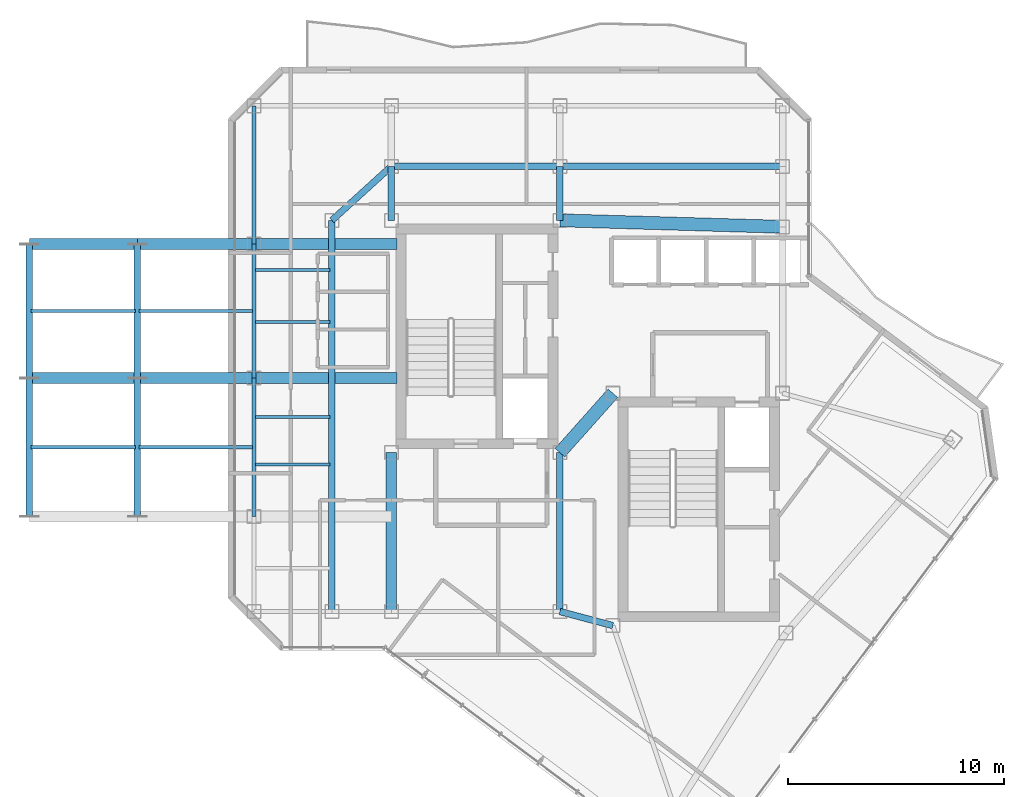
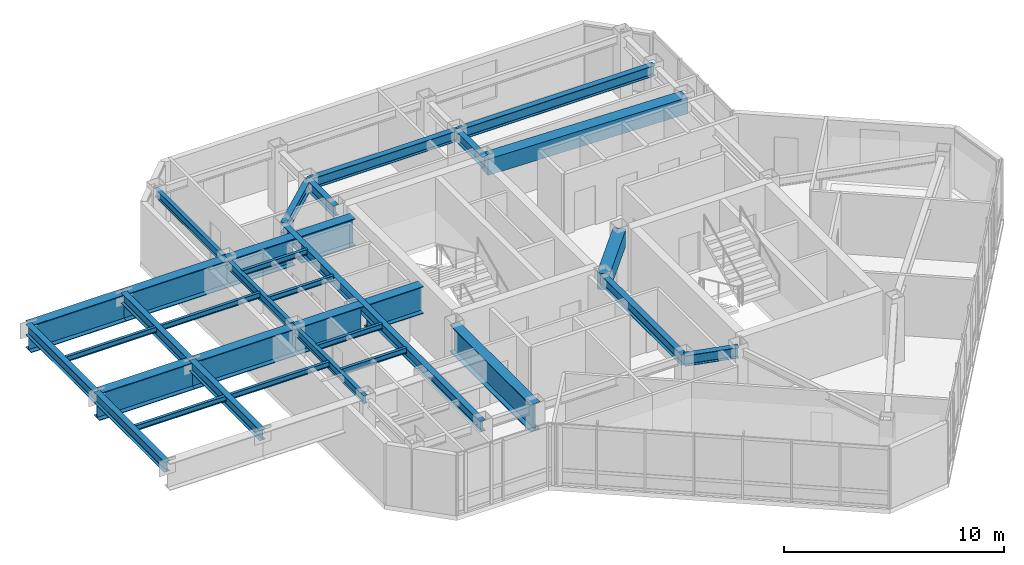
# One storey, part 4 of 17: 34 beams.
"""IFC4 building model written with IfcOpenShell, lengths in metres."""

import ifcopenshell
import ifcopenshell.guid

model = None  # the IFC model being written
_history = None  # IfcOwnerHistory: only IFC2X3 demands one
_inside = {}  # id of a spatial element -> (the spatial element, [elements in it])
_under = {}  # id of a project, library or spatial element -> (it, [spatial elements below it])
_declared = {}  # id of a project -> (the project, [libraries it declares])
_typed = {}  # id of a type object -> (the type object, [elements of that type])
_made_of = {}  # id of a material, layer set ... -> (it, [elements and type objects made of it])


def new_model(schema):
    """Start an empty IFC model of exactly this schema.

    Asked for "IFC4X3", IfcOpenShell would pick the latest addendum, in which some entities
    have other attributes; the version numbers below select the first issue.
    IFC2X3 requires an IfcOwnerHistory on every rooted entity: one is made here for all.
    """
    global model, _history
    if schema == "IFC4X3":
        model = ifcopenshell.file(schema_version=(4, 3, 0, 0))
    else:
        model = ifcopenshell.file(schema=schema)
    _inside.clear()
    _under.clear()
    _declared.clear()
    _typed.clear()
    _made_of.clear()
    _history = None
    if model.schema == "IFC2X3":
        org = make("IfcOrganization", Name="unknown")
        user = make(
            "IfcPersonAndOrganization",
            ThePerson=make("IfcPerson", FamilyName="unknown"),
            TheOrganization=org,
        )
        app = make(
            "IfcApplication",
            ApplicationDeveloper=org,
            Version="unknown",
            ApplicationFullName="unknown",
            ApplicationIdentifier="unknown",
        )
        _history = make(
            "IfcOwnerHistory",
            OwningUser=user,
            OwningApplication=app,
            ChangeAction="ADDED",
            CreationDate=0,
        )
    return model


def make(cls, **values):
    """One entity of the class cls with the attributes given. An attribute that is None is left unset."""
    return model.create_entity(
        cls, **{name: value for name, value in values.items() if value is not None}
    )


def rooted(cls, **values):
    """An entity with a GlobalId (a new one), such as an element, a storey or a relation."""
    return make(cls, GlobalId=ifcopenshell.guid.new(), OwnerHistory=_history, **values)


def si_unit(unit_type, name, prefix=None):
    """IfcSIUnit, for example si_unit("LENGTHUNIT", "METRE", prefix="MILLI")."""
    return make("IfcSIUnit", UnitType=unit_type, Prefix=prefix, Name=name)


def assignment(units):
    """IfcUnitAssignment: the units of a project."""
    return None if units is None else make("IfcUnitAssignment", Units=units)


def point(xyz):
    """IfcCartesianPoint."""
    return None if xyz is None else make("IfcCartesianPoint", Coordinates=xyz)


def direction(xyz):
    """IfcDirection."""
    return None if xyz is None else make("IfcDirection", DirectionRatios=xyz)


def frame(location, z_axis=None, x_axis=None):
    """IfcAxis2Placement3D, a coordinate frame: its origin and axes. An axis left out is left unset."""
    return make(
        "IfcAxis2Placement3D",
        Location=point(location),
        Axis=direction(z_axis),
        RefDirection=direction(x_axis),
    )


def frame_2d(location, x_axis=None):
    """IfcAxis2Placement2D, a coordinate frame in the plane: its origin and x axis."""
    return make(
        "IfcAxis2Placement2D", Location=point(location), RefDirection=direction(x_axis)
    )


def origin():
    """The frame at (0, 0, 0) with its axes left unset."""
    return frame((0.0, 0.0, 0.0))


def origin_2d():
    """The frame at (0, 0) in the plane with its x axis left unset."""
    return frame_2d((0.0, 0.0))


def place(relative_to, where):
    """IfcLocalPlacement: puts the frame where relative to a parent placement (None: the world)."""
    return make(
        "IfcLocalPlacement", PlacementRelTo=relative_to, RelativePlacement=where
    )


def context(
    kind, dimensions, precision=None, world=None, true_north=None, identifier=None
):
    """IfcGeometricRepresentationContext, for example the 3D "Model" context."""
    return make(
        "IfcGeometricRepresentationContext",
        ContextIdentifier=identifier,
        ContextType=kind,
        CoordinateSpaceDimension=dimensions,
        Precision=precision,
        WorldCoordinateSystem=world,
        TrueNorth=true_north,
    )


def subcontext(parent, identifier, kind, view, scale=None):
    """IfcGeometricRepresentationSubContext, for example "Body" below "Model"."""
    return make(
        "IfcGeometricRepresentationSubContext",
        ContextIdentifier=identifier,
        ContextType=kind,
        ParentContext=parent,
        TargetScale=scale,
        TargetView=view,
    )


def project(units=None, contexts=None):
    """IfcProject with its units and contexts."""
    return rooted(
        "IfcProject",
        Name="project",
        RepresentationContexts=contexts,
        UnitsInContext=assignment(units),
    )


def spatial(cls, under=None, at=None, **own):
    """A site, building, storey or space (cls), placed at a placement, below another one or the project."""
    s = rooted(cls, ObjectPlacement=at, **own)
    if under is not None:
        _under.setdefault(under.id(), (under, []))[1].append(s)
    return s


def profile(cls, at=None, kind="AREA", **sizes):
    """A parametric profile (cls). Its sizes go by their IFC names, for example OverallWidth=200.0."""
    return make(cls, ProfileType=kind, Position=at, **sizes)


def rectangle(**sizes):
    """IfcRectangleProfileDef."""
    return profile("IfcRectangleProfileDef", **sizes)


def i_section(**sizes):
    """IfcIShapeProfileDef."""
    return profile("IfcIShapeProfileDef", **sizes)


def extrude(swept, where, along, depth):
    """IfcExtrudedAreaSolid: the profile swept, set in the frame where, extruded along a direction by depth."""
    return make(
        "IfcExtrudedAreaSolid",
        SweptArea=swept,
        Position=where,
        ExtrudedDirection=direction(along),
        Depth=depth,
    )


def shape(context_of_items, identifier, shape_type, items):
    """IfcShapeRepresentation: the items that make up one representation, for example the "Body"."""
    return make(
        "IfcShapeRepresentation",
        ContextOfItems=context_of_items,
        RepresentationIdentifier=identifier,
        RepresentationType=shape_type,
        Items=items,
    )


def material(Name=None, Category=None):
    """IfcMaterial."""
    return make("IfcMaterial", Name=Name, Category=Category)


def material_profile(
    of_material, cross_section, Name=None, Category=None, Priority=None
):
    """IfcMaterialProfile: a cross section and its material."""
    return make(
        "IfcMaterialProfile",
        Name=Name,
        Material=of_material,
        Profile=cross_section,
        Priority=Priority,
        Category=Category,
    )


def profile_set(profiles, Name=None, composite=None):
    """IfcMaterialProfileSet."""
    return make(
        "IfcMaterialProfileSet",
        Name=Name,
        MaterialProfiles=profiles,
        CompositeProfile=composite,
    )


def made_of(thing, what):
    """Note that an element or type object is made of a material, layer set ...; save() writes the relation."""
    if what is not None:
        _made_of.setdefault(what.id(), (what, []))[1].append(thing)
    return thing


def type_object(cls, material=None, **own):
    """A type object (cls), such as IfcWallType, which elements share."""
    return made_of(rooted(cls, **own), material)


def element(
    cls,
    number,
    at=None,
    inside=None,
    cuts=None,
    type_object=None,
    material=None,
    context=None,
    identifier="Body",
    shape_type=None,
    held_by="IfcProductDefinitionShape",
    body=None,
    shapes=None,
    **own,
):
    """One element of the class cls, such as IfcWall. Its Tag is "e" and its number.

    at: its placement. inside: the storey or other place that contains it. cuts: it is an
    opening in that element (IfcRelVoidsElement). A single representation is given by context,
    identifier, shape_type and body (its items); several are given by shapes. held_by: the class
    of the entity that holds the representations. save() writes the other relations.
    """
    e = rooted(cls, Tag="e%d" % number, ObjectPlacement=at, **own)
    if body is not None:
        shapes = [shape(context, identifier, shape_type, body)]
    if shapes is not None:
        e.Representation = make(held_by, Representations=shapes)
    if inside is not None:
        _inside.setdefault(inside.id(), (inside, []))[1].append(e)
    if cuts is not None:
        rooted(
            "IfcRelVoidsElement", RelatingBuildingElement=cuts, RelatedOpeningElement=e
        )
    if type_object is not None:
        _typed.setdefault(type_object.id(), (type_object, []))[1].append(e)
    return made_of(e, material)


def aggregate(whole, parts):
    """IfcRelAggregates: a whole, such as a stair, and the parts it consists of."""
    return rooted("IfcRelAggregates", RelatingObject=whole, RelatedObjects=parts)


def save(model, path):
    """Write the relations noted so far, then the file.

    IfcRelAggregates (storeys below a building ...), IfcRelContainedInSpatialStructure (elements
    in a storey), IfcRelDefinesByType, IfcRelAssociatesMaterial and IfcRelDeclares: one each for
    every whole, place, type object, material and project.
    """
    for whole, parts in _under.values():
        aggregate(whole, parts)
    for where, things in _inside.values():
        rooted(
            "IfcRelContainedInSpatialStructure",
            RelatedElements=things,
            RelatingStructure=where,
        )
    for kind, things in _typed.values():
        rooted("IfcRelDefinesByType", RelatedObjects=things, RelatingType=kind)
    for what, things in _made_of.values():
        rooted("IfcRelAssociatesMaterial", RelatedObjects=things, RelatingMaterial=what)
    for by, libraries in _declared.values():
        rooted("IfcRelDeclares", RelatingContext=by, RelatedDefinitions=libraries)
    model.write(path)


model = new_model("IFC4")

# Units and contexts
model_context = context("Model", 3, precision=1e-05, world=origin(), true_north=direction((0.0, 1.0)))
body_context = subcontext(model_context, "Body", "Model", "MODEL_VIEW")
ifc_project = project(units=[si_unit("LENGTHUNIT", "METRE"), si_unit("AREAUNIT", "SQUARE_METRE"), si_unit("VOLUMEUNIT", "CUBIC_METRE"), si_unit("PLANEANGLEUNIT", "RADIAN"), si_unit("MASSUNIT", "GRAM", prefix="KILO")], contexts=[model_context])

# Site, building, storey
site_placement = place(None, origin())
site = spatial("IfcSite", under=ifc_project, at=site_placement, CompositionType="ELEMENT")
building_placement = place(site_placement, origin())
building = spatial("IfcBuilding", under=site, at=building_placement, Name="Hatsunagi Terrace Concourse", CompositionType="ELEMENT")
storey_placement = place(building_placement, frame((0.0, 0.0, 253.949951171875)))
storey = spatial("IfcBuildingStorey", under=building, at=storey_placement, Name="L67", CompositionType="ELEMENT", Elevation=253.949951171875)

# Beams
ifc_material_1 = material(Name="Concrete Fc42", Category="concrete")
ifc_material_profile_1 = material_profile(ifc_material_1, rectangle(XDim=0.60009765625, YDim=0.89990234375, at=origin_2d()), Name="RC-600x900")
ifc_profile_set_1 = profile_set([ifc_material_profile_1], Name="Concrete Fc42")
beam_type_1 = type_object("IfcBeamType", Name="CoreCouplingBeam_RC_600x900", PredefinedType="BEAM", material=ifc_profile_set_1)
beam_1_placement = place(storey_placement, frame((33.35009765625, 32.550048828125, 2.900146484375), z_axis=(0.665198651008, 0.746666427997, 0.0), x_axis=(-0.746666427997, 0.665198651008, 0.0)))
element("IfcBeam", 1, at=beam_1_placement, inside=storey, type_object=beam_type_1, Name="Beam CB-03 CB-L67-1", PredefinedType="BEAM", context=body_context, shape_type="SweptSolid", body=[
    extrude(rectangle(XDim=0.60009765625, YDim=0.89990234375, at=origin_2d()), origin(), (0.0, 0.0, 1.0), 3.68310546875),
])
beam_2_placement = place(storey_placement, frame((33.35009765625, 43.300048828125, 2.900146484375), z_axis=(0.999575947545, -0.029119153303, 0.0), x_axis=(0.029119153303, 0.999575947545, 0.0)))
element("IfcBeam", 2, at=beam_2_placement, inside=storey, type_object=beam_type_1, Name="Beam CB-03 CB-L67-2", PredefinedType="BEAM", context=body_context, shape_type="SweptSolid", body=[
    extrude(rectangle(XDim=0.60009765625, YDim=0.89990234375, at=origin_2d()), origin(), (0.0, 0.0, 1.0), 10.30419921875),
])
ifc_material_2 = material(Name="Steel SN490B", Category="steel")
ifc_material_profile_2 = material_profile(ifc_material_2, i_section(OverallWidth=0.300048828125, OverallDepth=0.587890625, WebThickness=0.011962890625, FlangeThickness=0.02001953125, FilletRadius=0.01806640625, at=origin_2d()), Name="H-588x300x12x20")
ifc_profile_set_2 = profile_set([ifc_material_profile_2], Name="Steel SN490B")
beam_type_2 = type_object("IfcBeamType", Name="OfficeHighGirder_H_588x300", PredefinedType="BEAM", material=ifc_profile_set_2)
beam_3_placement = place(storey_placement, frame((33.35009765625, 25.199951171875, 3.05615234375), z_axis=(0.0, 1.0, 0.0), x_axis=(-1.0, 0.0, 0.0)))
element("IfcBeam", 3, at=beam_3_placement, inside=storey, type_object=beam_type_2, Name="Beam G-06 BM-L67-K2CA", PredefinedType="BEAM", context=body_context, shape_type="SweptSolid", body=[
    extrude(i_section(OverallWidth=0.300048828125, OverallDepth=0.587890625, WebThickness=0.011962890625, FlangeThickness=0.02001953125, FilletRadius=0.01806640625, at=origin_2d()), origin(), (0.0, 0.0, 1.0), 7.35009765625),
])
beam_4_placement = place(storey_placement, frame((33.35009765625, 25.199951171875, 3.05615234375), z_axis=(0.966569840116, -0.256403479262, 0.0), x_axis=(0.256403479262, 0.966569840116, 0.0)))
element("IfcBeam", 4, at=beam_4_placement, inside=storey, type_object=beam_type_2, Name="Beam G-06 BM-L67-K2CB", PredefinedType="BEAM", context=body_context, shape_type="SweptSolid", body=[
    extrude(i_section(OverallWidth=0.300048828125, OverallDepth=0.587890625, WebThickness=0.011962890625, FlangeThickness=0.02001953125, FilletRadius=0.01806640625, at=origin_2d()), origin(), (0.0, 0.0, 1.0), 2.53466796875),
])
for number, where, z_axis, x_axis, name in (
    (5, (25.550048828125, 43.300048828125, 3.05615234375), (0.0, 1.0, 0.0), (-1.0, 0.0, 0.0), "Beam G-06 BM-L67-CN1"),
    (6, (33.35009765625, 43.300048828125, 3.05615234375), (0.0, 1.0, 0.0), (-1.0, 0.0, 0.0), "Beam G-06 BM-L67-CN2"),
):
    element("IfcBeam", number, at=place(storey_placement, frame(where, z_axis=z_axis, x_axis=x_axis)), inside=storey, type_object=beam_type_2, Name=name, PredefinedType="BEAM", context=body_context, shape_type="SweptSolid", body=[
        extrude(i_section(OverallWidth=0.300048828125, OverallDepth=0.587890625, WebThickness=0.011962890625, FlangeThickness=0.02001953125, FilletRadius=0.01806640625, at=origin_2d()), origin(), (0.0, 0.0, 1.0), 2.5),
    ])
beam_5_placement = place(storey_placement, frame((25.550048828125, 45.800048828125, 3.05615234375), z_axis=(1.0, 0.0, 0.0), x_axis=(0.0, 1.0, 0.0)))
element("IfcBeam", 7, at=beam_5_placement, inside=storey, type_object=beam_type_2, Name="Beam G-06 BM-L67-CNEW1", PredefinedType="BEAM", context=body_context, shape_type="SweptSolid", body=[
    extrude(i_section(OverallWidth=0.300048828125, OverallDepth=0.587890625, WebThickness=0.011962890625, FlangeThickness=0.02001953125, FilletRadius=0.01806640625, at=origin_2d()), origin(), (0.0, 0.0, 1.0), 7.800048828125),
])
beam_6_placement = place(storey_placement, frame((33.35009765625, 45.800048828125, 3.05615234375), z_axis=(1.0, 0.0, 0.0), x_axis=(0.0, 1.0, 0.0)))
element("IfcBeam", 8, at=beam_6_placement, inside=storey, type_object=beam_type_2, Name="Beam G-06 BM-L67-CNEW2", PredefinedType="BEAM", context=body_context, shape_type="SweptSolid", body=[
    extrude(i_section(OverallWidth=0.300048828125, OverallDepth=0.587890625, WebThickness=0.011962890625, FlangeThickness=0.02001953125, FilletRadius=0.01806640625, at=origin_2d()), origin(), (0.0, 0.0, 1.0), 10.2998046875),
])
beam_7_placement = place(storey_placement, frame((13.800048828125, 29.60009765625, 3.05615234375), z_axis=(0.0, 1.0, 0.0), x_axis=(-1.0, 0.0, 0.0)))
element("IfcBeam", 9, at=beam_7_placement, inside=storey, type_object=beam_type_2, Name="Beam G-06 SLT-L67-NS-1A", PredefinedType="BEAM", context=body_context, shape_type="SweptSolid", body=[
    extrude(i_section(OverallWidth=0.300048828125, OverallDepth=0.587890625, WebThickness=0.011962890625, FlangeThickness=0.02001953125, FilletRadius=0.01806640625, at=origin_2d()), origin(), (0.0, 0.0, 1.0), 6.39990234375),
])
beam_8_placement = place(storey_placement, frame((13.800048828125, 36.0, 3.05615234375), z_axis=(0.0, 1.0, 0.0), x_axis=(-1.0, 0.0, 0.0)))
element("IfcBeam", 10, at=beam_8_placement, inside=storey, type_object=beam_type_2, Name="Beam G-06 SLT-L67-NS-1B", PredefinedType="BEAM", context=body_context, shape_type="SweptSolid", body=[
    extrude(i_section(OverallWidth=0.300048828125, OverallDepth=0.587890625, WebThickness=0.011962890625, FlangeThickness=0.02001953125, FilletRadius=0.01806640625, at=origin_2d()), origin(), (0.0, 0.0, 1.0), 6.199951171875),
])
beam_9_placement = place(storey_placement, frame((8.800048828125, 29.60009765625, 3.05615234375), z_axis=(0.0, 1.0, 0.0), x_axis=(-1.0, 0.0, 0.0)))
element("IfcBeam", 11, at=beam_9_placement, inside=storey, type_object=beam_type_2, Name="Beam G-06 SLT-L67-NS-2A", PredefinedType="BEAM", context=body_context, shape_type="SweptSolid", body=[
    extrude(i_section(OverallWidth=0.300048828125, OverallDepth=0.587890625, WebThickness=0.011962890625, FlangeThickness=0.02001953125, FilletRadius=0.01806640625, at=origin_2d()), origin(), (0.0, 0.0, 1.0), 6.39990234375),
])
beam_10_placement = place(storey_placement, frame((8.800048828125, 36.0, 3.05615234375), z_axis=(0.0, 1.0, 0.0), x_axis=(-1.0, 0.0, 0.0)))
element("IfcBeam", 12, at=beam_10_placement, inside=storey, type_object=beam_type_2, Name="Beam G-06 SLT-L67-NS-2B", PredefinedType="BEAM", context=body_context, shape_type="SweptSolid", body=[
    extrude(i_section(OverallWidth=0.300048828125, OverallDepth=0.587890625, WebThickness=0.011962890625, FlangeThickness=0.02001953125, FilletRadius=0.01806640625, at=origin_2d()), origin(), (0.0, 0.0, 1.0), 6.199951171875),
])
beam_11_placement = place(storey_placement, frame((22.800048828125, 25.199951171875, 3.05615234375), z_axis=(0.0, 1.0, 0.0), x_axis=(-1.0, 0.0, 0.0)))
element("IfcBeam", 13, at=beam_11_placement, inside=storey, type_object=beam_type_2, Name="Beam G-06 BM-L67-CWNS", PredefinedType="BEAM", context=body_context, shape_type="SweptSolid", body=[
    extrude(i_section(OverallWidth=0.300048828125, OverallDepth=0.587890625, WebThickness=0.011962890625, FlangeThickness=0.02001953125, FilletRadius=0.01806640625, at=origin_2d()), origin(), (0.0, 0.0, 1.0), 18.10009765625),
])
beam_12_placement = place(storey_placement, frame((22.800048828125, 43.300048828125, 3.05615234375), z_axis=(0.739940073396, 0.672672793996, 0.0), x_axis=(-0.672672793996, 0.739940073396, 0.0)))
element("IfcBeam", 14, at=beam_12_placement, inside=storey, type_object=beam_type_2, Name="Beam G-06 BM-L67-CWEW-N", PredefinedType="BEAM", context=body_context, shape_type="SweptSolid", body=[
    extrude(i_section(OverallWidth=0.300048828125, OverallDepth=0.587890625, WebThickness=0.011962890625, FlangeThickness=0.02001953125, FilletRadius=0.01806640625, at=origin_2d()), origin(), (0.0, 0.0, 1.0), 3.716552734375),
])
ifc_material_3 = material(Name="Steel SN490B", Category="steel")
ifc_material_profile_3 = material_profile(ifc_material_3, i_section(OverallWidth=0.14990234375, OverallDepth=0.300048828125, WebThickness=0.006591796875, FlangeThickness=0.009033203125, FilletRadius=0.010986328125, at=origin_2d()), Name="H-300x150x6.5x9")
ifc_profile_set_3 = profile_set([ifc_material_profile_3], Name="Steel SN490B")
beam_type_3 = type_object("IfcBeamType", Name="OfficeJoist_H_300x150", PredefinedType="JOIST", material=ifc_profile_set_3)
beam_13_placement = place(storey_placement, frame((19.135009765625, 32.800048828125, 3.199951171875), z_axis=(-1.0, 0.0, 0.0), x_axis=(0.0, -1.0, 0.0)))
element("IfcBeam", 15, at=beam_13_placement, inside=storey, type_object=beam_type_3, Name="Beam J-03 J-L67-SL1-328", PredefinedType="JOIST", context=body_context, shape_type="SweptSolid", body=[
    extrude(i_section(OverallWidth=0.14990234375, OverallDepth=0.300048828125, WebThickness=0.006591796875, FlangeThickness=0.009033203125, FilletRadius=0.010986328125, at=origin_2d()), origin(), (0.0, 0.0, 1.0), 5.25),
])
beam_14_placement = place(storey_placement, frame((13.715087890625, 32.800048828125, 3.199951171875), z_axis=(-1.0, 0.0, 0.0), x_axis=(0.0, -1.0, 0.0)))
element("IfcBeam", 16, at=beam_14_placement, inside=storey, type_object=beam_type_3, Name="Beam J-03 J-L67-SL2-328", PredefinedType="JOIST", context=body_context, shape_type="SweptSolid", body=[
    extrude(i_section(OverallWidth=0.14990234375, OverallDepth=0.300048828125, WebThickness=0.006591796875, FlangeThickness=0.009033203125, FilletRadius=0.010986328125, at=origin_2d()), origin(), (0.0, 0.0, 1.0), 4.830078125),
])
beam_15_placement = place(storey_placement, frame((19.135009765625, 39.10009765625, 3.199951171875), z_axis=(-1.0, 0.0, 0.0), x_axis=(0.0, -1.0, 0.0)))
element("IfcBeam", 17, at=beam_15_placement, inside=storey, type_object=beam_type_3, Name="Beam J-03 J-L67-SL1-391", PredefinedType="JOIST", context=body_context, shape_type="SweptSolid", body=[
    extrude(i_section(OverallWidth=0.14990234375, OverallDepth=0.300048828125, WebThickness=0.006591796875, FlangeThickness=0.009033203125, FilletRadius=0.010986328125, at=origin_2d()), origin(), (0.0, 0.0, 1.0), 5.25),
])
beam_16_placement = place(storey_placement, frame((13.715087890625, 39.10009765625, 3.199951171875), z_axis=(-1.0, 0.0, 0.0), x_axis=(0.0, -1.0, 0.0)))
element("IfcBeam", 18, at=beam_16_placement, inside=storey, type_object=beam_type_3, Name="Beam J-03 J-L67-SL2-391", PredefinedType="JOIST", context=body_context, shape_type="SweptSolid", body=[
    extrude(i_section(OverallWidth=0.14990234375, OverallDepth=0.300048828125, WebThickness=0.006591796875, FlangeThickness=0.009033203125, FilletRadius=0.010986328125, at=origin_2d()), origin(), (0.0, 0.0, 1.0), 4.830078125),
])
for number, where, z_axis, x_axis, name in (
    (19, (19.264892578125, 32.0, 3.199951171875), (1.0, 0.0, 0.0), (0.0, 1.0, 0.0), "Beam J-03 J-L67-W-19-320"),
    (20, (19.264892578125, 34.199951171875, 3.199951171875), (1.0, 0.0, 0.0), (0.0, 1.0, 0.0), "Beam J-03 J-L67-W-19-342"),
    (21, (19.264892578125, 38.60009765625, 3.199951171875), (1.0, 0.0, 0.0), (0.0, 1.0, 0.0), "Beam J-03 J-L67-W-19-386"),
    (22, (19.264892578125, 41.0, 3.199951171875), (1.0, 0.0, 0.0), (0.0, 1.0, 0.0), "Beam J-03 J-L67-W-19-410"),
):
    element("IfcBeam", number, at=place(storey_placement, frame(where, z_axis=z_axis, x_axis=x_axis)), inside=storey, type_object=beam_type_3, Name=name, PredefinedType="JOIST", context=body_context, shape_type="SweptSolid", body=[
        extrude(i_section(OverallWidth=0.14990234375, OverallDepth=0.300048828125, WebThickness=0.006591796875, FlangeThickness=0.009033203125, FilletRadius=0.010986328125, at=origin_2d()), origin(), (0.0, 0.0, 1.0), 3.4501953125),
    ])
ifc_material_4 = material(Name="Steel SN490B", Category="steel")
ifc_material_profile_4 = material_profile(ifc_material_4, i_section(OverallWidth=0.199951171875, OverallDepth=0.449951171875, WebThickness=0.009033203125, FlangeThickness=0.013916015625, FilletRadius=0.01611328125, at=origin_2d()), Name="H-450x200x9x14")
ifc_profile_set_4 = profile_set([ifc_material_profile_4], Name="Steel SN490B")
beam_type_4 = type_object("IfcBeamType", Name="PerimeterSpandrel_H_450x200", PredefinedType="SPANDREL", material=ifc_profile_set_4)
beam_17_placement = place(storey_placement, frame((19.199951171875, 29.60009765625, 3.125), z_axis=(0.0, 1.0, 0.0), x_axis=(-1.0, 0.0, 0.0)))
element("IfcBeam", 23, at=beam_17_placement, inside=storey, type_object=beam_type_4, Name="Beam SP-02 BM-L67-NS-19-29", PredefinedType="SPANDREL", context=body_context, shape_type="SweptSolid", body=[
    extrude(i_section(OverallWidth=0.199951171875, OverallDepth=0.449951171875, WebThickness=0.009033203125, FlangeThickness=0.013916015625, FilletRadius=0.01611328125, at=origin_2d()), origin(), (0.0, 0.0, 1.0), 6.39990234375),
])
beam_18_placement = place(storey_placement, frame((19.199951171875, 36.0, 3.125), z_axis=(0.0, 1.0, 0.0), x_axis=(-1.0, 0.0, 0.0)))
element("IfcBeam", 24, at=beam_18_placement, inside=storey, type_object=beam_type_4, Name="Beam SP-02 BM-L67-NS-19-36", PredefinedType="SPANDREL", context=body_context, shape_type="SweptSolid", body=[
    extrude(i_section(OverallWidth=0.199951171875, OverallDepth=0.449951171875, WebThickness=0.009033203125, FlangeThickness=0.013916015625, FilletRadius=0.01611328125, at=origin_2d()), origin(), (0.0, 0.0, 1.0), 6.199951171875),
])
beam_19_placement = place(storey_placement, frame((19.199951171875, 42.199951171875, 3.125), z_axis=(0.0, 1.0, 0.0), x_axis=(-1.0, 0.0, 0.0)))
element("IfcBeam", 25, at=beam_19_placement, inside=storey, type_object=beam_type_4, Name="Beam SP-02 BM-L67-NS-19-42", PredefinedType="SPANDREL", context=body_context, shape_type="SweptSolid", body=[
    extrude(i_section(OverallWidth=0.199951171875, OverallDepth=0.449951171875, WebThickness=0.009033203125, FlangeThickness=0.013916015625, FilletRadius=0.01611328125, at=origin_2d()), origin(), (0.0, 0.0, 1.0), 6.400146484375),
])
ifc_material_5 = material(Name="Steel SN490C", Category="steel")
ifc_material_profile_5 = material_profile(ifc_material_5, i_section(OverallWidth=0.5, OverallDepth=1.5, WebThickness=0.028076171875, FlangeThickness=0.0380859375, at=origin_2d()), Name="BH-1500x500x28x38")
ifc_profile_set_5 = profile_set([ifc_material_profile_5], Name="Steel SN490C")
beam_type_5 = type_object("IfcBeamType", Name="SkyLoungeTrussGirder_BH_1500x500x28x38", PredefinedType="USERDEFINED", material=ifc_profile_set_5)
beam_20_placement = place(storey_placement, frame((25.550048828125, 25.199951171875, 2.60009765625), z_axis=(0.0, 1.0, 0.0), x_axis=(-1.0, 0.0, 0.0)))
element("IfcBeam", 26, at=beam_20_placement, inside=storey, type_object=beam_type_5, Name="Transfer girder SLT-01 BM-L67-K1CA", ObjectType="TRANSFER_GIRDER", PredefinedType="USERDEFINED", context=body_context, shape_type="SweptSolid", body=[
    extrude(i_section(OverallWidth=0.5, OverallDepth=1.5, WebThickness=0.028076171875, FlangeThickness=0.0380859375, at=origin_2d()), origin(), (0.0, 0.0, 1.0), 7.35009765625),
])
beam_21_placement = place(storey_placement, frame((25.81005859375, 36.0, 2.60009765625), z_axis=(-1.0, 0.0, 0.0), x_axis=(0.0, -1.0, 0.0)))
element("IfcBeam", 27, at=beam_21_placement, inside=storey, type_object=beam_type_5, Name="Transfer girder SLT-01 SLT-L67-BS-2", ObjectType="TRANSFER_GIRDER", PredefinedType="USERDEFINED", context=body_context, shape_type="SweptSolid", body=[
    extrude(i_section(OverallWidth=0.5, OverallDepth=1.5, WebThickness=0.028076171875, FlangeThickness=0.0380859375, at=origin_2d()), origin(), (0.0, 0.0, 1.0), 2.860107421875),
])
beam_22_placement = place(storey_placement, frame((22.64990234375, 36.0, 2.60009765625), z_axis=(-1.0, 0.0, 0.0), x_axis=(0.0, -1.0, 0.0)))
element("IfcBeam", 28, at=beam_22_placement, inside=storey, type_object=beam_type_5, Name="Transfer girder SLT-01 SLT-L67-BSW-2", ObjectType="TRANSFER_GIRDER", PredefinedType="USERDEFINED", context=body_context, shape_type="SweptSolid", body=[
    extrude(i_section(OverallWidth=0.5, OverallDepth=1.5, WebThickness=0.028076171875, FlangeThickness=0.0380859375, at=origin_2d()), origin(), (0.0, 0.0, 1.0), 3.449951171875),
])
beam_23_placement = place(storey_placement, frame((19.199951171875, 36.0, 2.60009765625), z_axis=(-1.0, 0.0, 0.0), x_axis=(0.0, -1.0, 0.0)))
element("IfcBeam", 29, at=beam_23_placement, inside=storey, type_object=beam_type_5, Name="Transfer girder SLT-01 SLT-L67-C1-2", ObjectType="TRANSFER_GIRDER", PredefinedType="USERDEFINED", context=body_context, shape_type="SweptSolid", body=[
    extrude(i_section(OverallWidth=0.5, OverallDepth=1.5, WebThickness=0.028076171875, FlangeThickness=0.0380859375, at=origin_2d()), origin(), (0.0, 0.0, 1.0), 5.39990234375),
])
beam_24_placement = place(storey_placement, frame((13.800048828125, 36.0, 2.60009765625), z_axis=(-1.0, 0.0, 0.0), x_axis=(0.0, -1.0, 0.0)))
element("IfcBeam", 30, at=beam_24_placement, inside=storey, type_object=beam_type_5, Name="Transfer girder SLT-01 SLT-L67-C2-2", ObjectType="TRANSFER_GIRDER", PredefinedType="USERDEFINED", context=body_context, shape_type="SweptSolid", body=[
    extrude(i_section(OverallWidth=0.5, OverallDepth=1.5, WebThickness=0.028076171875, FlangeThickness=0.0380859375, at=origin_2d()), origin(), (0.0, 0.0, 1.0), 5.0),
])
beam_25_placement = place(storey_placement, frame((25.81005859375, 42.199951171875, 2.60009765625), z_axis=(-1.0, 0.0, 0.0), x_axis=(0.0, -1.0, 0.0)))
element("IfcBeam", 31, at=beam_25_placement, inside=storey, type_object=beam_type_5, Name="Transfer girder SLT-01 SLT-L67-BS-3", ObjectType="TRANSFER_GIRDER", PredefinedType="USERDEFINED", context=body_context, shape_type="SweptSolid", body=[
    extrude(i_section(OverallWidth=0.5, OverallDepth=1.5, WebThickness=0.028076171875, FlangeThickness=0.0380859375, at=origin_2d()), origin(), (0.0, 0.0, 1.0), 2.860107421875),
])
beam_26_placement = place(storey_placement, frame((22.64990234375, 42.199951171875, 2.60009765625), z_axis=(-1.0, 0.0, 0.0), x_axis=(0.0, -1.0, 0.0)))
element("IfcBeam", 32, at=beam_26_placement, inside=storey, type_object=beam_type_5, Name="Transfer girder SLT-01 SLT-L67-BSW-3", ObjectType="TRANSFER_GIRDER", PredefinedType="USERDEFINED", context=body_context, shape_type="SweptSolid", body=[
    extrude(i_section(OverallWidth=0.5, OverallDepth=1.5, WebThickness=0.028076171875, FlangeThickness=0.0380859375, at=origin_2d()), origin(), (0.0, 0.0, 1.0), 3.449951171875),
])
beam_27_placement = place(storey_placement, frame((19.199951171875, 42.199951171875, 2.60009765625), z_axis=(-1.0, 0.0, 0.0), x_axis=(0.0, -1.0, 0.0)))
element("IfcBeam", 33, at=beam_27_placement, inside=storey, type_object=beam_type_5, Name="Transfer girder SLT-01 SLT-L67-C1-3", ObjectType="TRANSFER_GIRDER", PredefinedType="USERDEFINED", context=body_context, shape_type="SweptSolid", body=[
    extrude(i_section(OverallWidth=0.5, OverallDepth=1.5, WebThickness=0.028076171875, FlangeThickness=0.0380859375, at=origin_2d()), origin(), (0.0, 0.0, 1.0), 5.39990234375),
])
beam_28_placement = place(storey_placement, frame((13.800048828125, 42.199951171875, 2.60009765625), z_axis=(-1.0, 0.0, 0.0), x_axis=(0.0, -1.0, 0.0)))
element("IfcBeam", 34, at=beam_28_placement, inside=storey, type_object=beam_type_5, Name="Transfer girder SLT-01 SLT-L67-C2-3", ObjectType="TRANSFER_GIRDER", PredefinedType="USERDEFINED", context=body_context, shape_type="SweptSolid", body=[
    extrude(i_section(OverallWidth=0.5, OverallDepth=1.5, WebThickness=0.028076171875, FlangeThickness=0.0380859375, at=origin_2d()), origin(), (0.0, 0.0, 1.0), 5.0),
])

save(model, "model.ifc")
